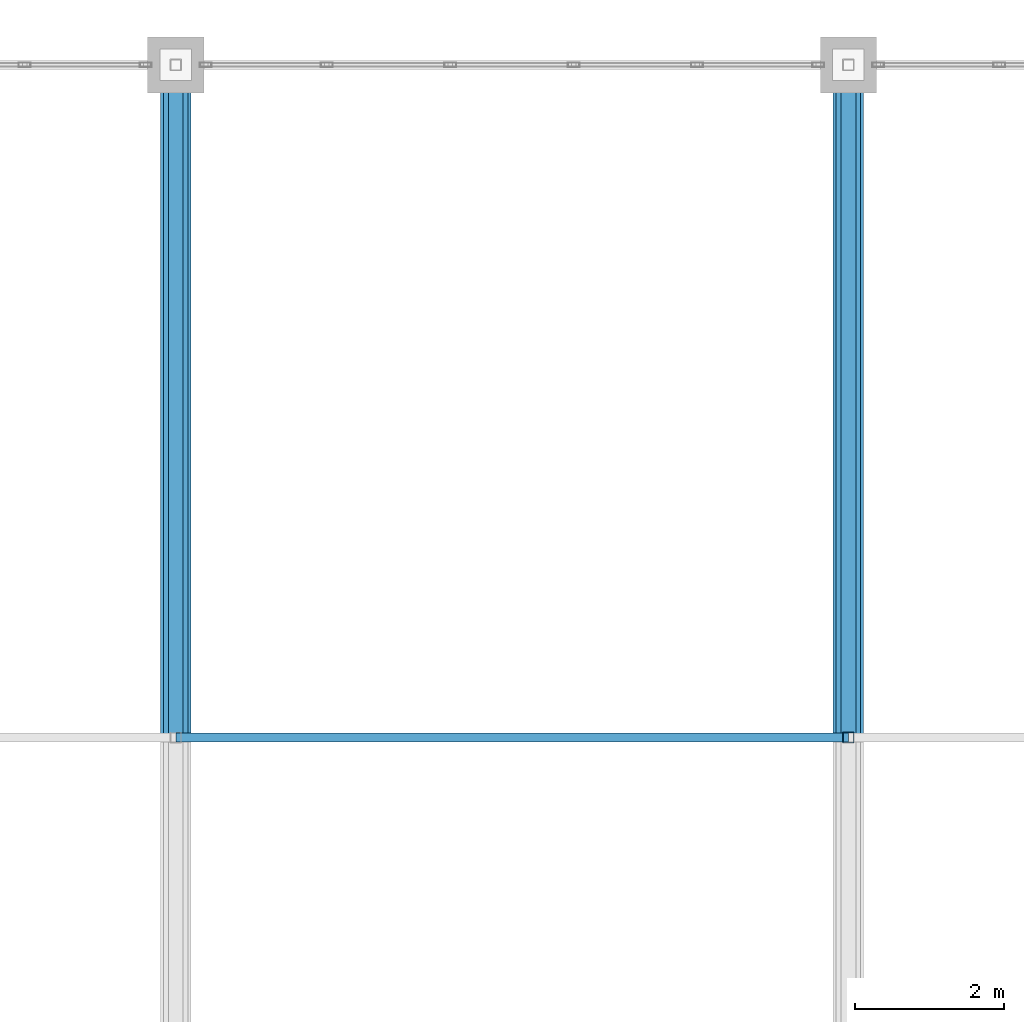
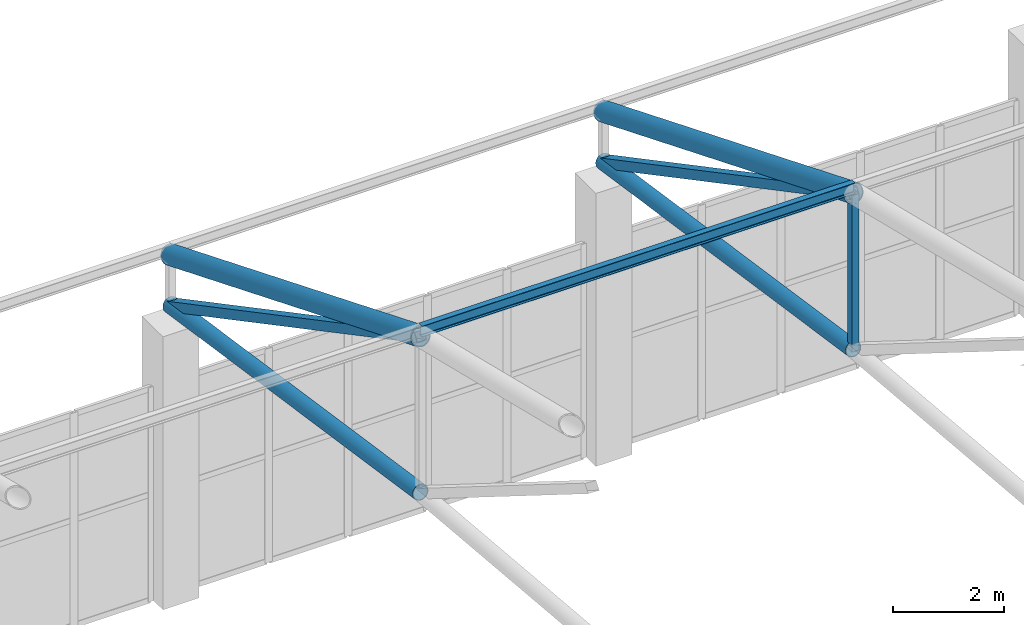
# One storey, part 128 of 223: 8 members.
"""IFC4 building model written with IfcOpenShell, lengths in metres."""

from ifc_helpers import new_model, si_unit, direction, frame, origin, origin_2d, place, context, subcontext, project, spatial, hollow_rectangle, hollow_circle, i_section, extrude, material, material_profile, profile_set, type_object, element, save


model = new_model("IFC4")

# Units and contexts
model_context = context("Model", 3, precision=1e-05, world=origin(), true_north=direction((0.0, 1.0)))
body_context = subcontext(model_context, "Body", "Model", "MODEL_VIEW")
ifc_project = project(units=[si_unit("LENGTHUNIT", "METRE"), si_unit("AREAUNIT", "SQUARE_METRE"), si_unit("VOLUMEUNIT", "CUBIC_METRE"), si_unit("PLANEANGLEUNIT", "RADIAN"), si_unit("MASSUNIT", "GRAM", prefix="KILO")], contexts=[model_context])

# Site, building, storey
site_placement = place(None, origin())
site = spatial("IfcSite", under=ifc_project, at=site_placement, CompositionType="ELEMENT")
building_placement = place(site_placement, origin())
building = spatial("IfcBuilding", under=site, at=building_placement, Name="Dornveld Trade and Exhibition Forum", CompositionType="ELEMENT")
storey_placement = place(building_placement, frame((0.0, 0.0, 6.0)))
storey = spatial("IfcBuildingStorey", under=building, at=storey_placement, Name="L01", CompositionType="ELEMENT", Elevation=6.0)

# Members
ifc_material_1 = material(Name="Steel S355J2", Category="steel")
ifc_material_profile_1 = material_profile(ifc_material_1, hollow_circle(Radius=0.161865234375, WallThickness=0.01611328125, at=origin_2d()), Name="CHS 323.9x16")
ifc_profile_set_1 = profile_set([ifc_material_profile_1], Name="Steel S355J2")
member_type_1 = type_object("IfcMemberType", Name="MEM-ARCH-BC", PredefinedType="CHORD", material=ifc_profile_set_1)
for number, where, z_axis, x_axis, name in (
    (1, (117.0, 153.0, 7.683349609375), (0.0, 0.989204758987, -0.146539908551), (-1.0, 0.0, 0.0), "H1 truss 3 tie chord 6"),
    (2, (126.0, 153.0, 7.683349609375), (0.0, 0.989204758987, -0.146539908551), (-1.0, 0.0, 0.0), "H1 truss 4 tie chord 6"),
):
    element("IfcMember", number, at=place(storey_placement, frame(where, z_axis=z_axis, x_axis=x_axis)), inside=storey, type_object=member_type_1, Name=name, PredefinedType="CHORD", context=body_context, shape_type="SweptSolid", body=[
        extrude(hollow_circle(Radius=0.161865234375, WallThickness=0.01611328125, at=origin_2d()), origin(), (0.0, 0.0, 1.0), 9.09814453125),
    ])
ifc_material_2 = material(Name="Steel S355J2", Category="steel")
ifc_material_profile_2 = material_profile(ifc_material_2, hollow_rectangle(XDim=0.14990234375, YDim=0.14990234375, WallThickness=0.008056640625, at=origin_2d()), Name="SHS 150x150x8")
ifc_profile_set_2 = profile_set([ifc_material_profile_2], Name="Steel S355J2")
member_type_2 = type_object("IfcMemberType", Name="MEM-ARCH-STR", PredefinedType="STRUT", material=ifc_profile_set_2)
member_1_placement = place(storey_placement, frame((126.0, 153.0, 7.683349609375), z_axis=(0.0, 0.0, 1.0), x_axis=(1.0, 0.0, 0.0)))
element("IfcMember", 3, at=member_1_placement, inside=storey, type_object=member_type_2, Name="H1 truss 4 strut 6", PredefinedType="STRUT", context=body_context, shape_type="SweptSolid", body=[
    extrude(hollow_rectangle(XDim=0.14990234375, YDim=0.14990234375, WallThickness=0.008056640625, at=origin_2d()), origin(), (0.0, 0.0, 1.0), 3.433349609375),
])
ifc_material_3 = material(Name="Steel S355J2", Category="steel")
ifc_material_profile_3 = material_profile(ifc_material_3, hollow_circle(Radius=0.203125, WallThickness=0.02001953125, at=origin_2d()), Name="CHS 406.4x20")
ifc_profile_set_3 = profile_set([ifc_material_profile_3], Name="Steel S355J2")
member_type_3 = type_object("IfcMemberType", Name="MEM-ARCH-TC", PredefinedType="CHORD", material=ifc_profile_set_3)
for number, where, z_axis, x_axis, name in (
    (4, (117.0, 153.0, 11.11669921875), (0.0, 0.926089433793, -0.377304069177), (-1.0, 0.0, 0.0), "H1 truss 3 top chord 6"),
    (5, (126.0, 153.0, 11.11669921875), (0.0, 0.926089433793, -0.377304069177), (-1.0, 0.0, 0.0), "H1 truss 4 top chord 6"),
):
    element("IfcMember", number, at=place(storey_placement, frame(where, z_axis=z_axis, x_axis=x_axis)), inside=storey, type_object=member_type_3, Name=name, PredefinedType="CHORD", context=body_context, shape_type="SweptSolid", body=[
        extrude(hollow_circle(Radius=0.203125, WallThickness=0.02001953125, at=origin_2d()), origin(), (0.0, 0.0, 1.0), 9.71826171875),
    ])
ifc_material_4 = material(Name="Steel S355J2", Category="steel")
ifc_material_profile_4 = material_profile(ifc_material_4, hollow_rectangle(XDim=0.199951171875, YDim=0.199951171875, WallThickness=0.010009765625, at=origin_2d()), Name="SHS 200x200x10")
ifc_profile_set_4 = profile_set([ifc_material_profile_4], Name="Steel S355J2")
member_type_4 = type_object("IfcMemberType", Name="MEM-ARCH-WEB", PredefinedType="BRACE", material=ifc_profile_set_4)
for number, where, z_axis, x_axis, name in (
    (6, (117.0, 162.0, 6.35009765625), (0.0, -0.883710934211, 0.468033102201), (1.0, 0.0, 0.0), "H1 truss 3 web 6"),
    (7, (126.0, 162.0, 6.35009765625), (0.0, -0.883710934211, 0.468033102201), (1.0, 0.0, 0.0), "H1 truss 4 web 6"),
):
    element("IfcMember", number, at=place(storey_placement, frame(where, z_axis=z_axis, x_axis=x_axis)), inside=storey, type_object=member_type_4, Name=name, PredefinedType="BRACE", context=body_context, shape_type="SweptSolid", body=[
        extrude(hollow_rectangle(XDim=0.199951171875, YDim=0.199951171875, WallThickness=0.010009765625, at=origin_2d()), origin(), (0.0, 0.0, 1.0), 10.184326171875),
    ])
ifc_material_5 = material(Name="Steel S355J2", Category="steel")
ifc_material_profile_5 = material_profile(ifc_material_5, i_section(OverallWidth=0.1201171875, OverallDepth=0.239990234375, WebThickness=0.006103515625, FlangeThickness=0.009765625, FilletRadius=0.014892578125, at=origin_2d()), Name="IPE 240")
ifc_profile_set_5 = profile_set([ifc_material_profile_5], Name="Steel S355J2")
member_type_5 = type_object("IfcMemberType", Name="MEM-PURLIN-240", PredefinedType="PURLIN", material=ifc_profile_set_5)
member_2_placement = place(storey_placement, frame((117.0, 153.0, 11.248779296875), z_axis=(1.0, 0.0, 0.0), x_axis=(0.0, 1.0, 0.0)))
element("IfcMember", 8, at=member_2_placement, inside=storey, type_object=member_type_5, Name="H1 bay 3 roof purlin 6", PredefinedType="PURLIN", context=body_context, shape_type="SweptSolid", body=[
    extrude(i_section(OverallWidth=0.1201171875, OverallDepth=0.239990234375, WebThickness=0.006103515625, FlangeThickness=0.009765625, FilletRadius=0.014892578125, at=origin_2d()), origin(), (0.0, 0.0, 1.0), 9.0),
])

save(model, "model.ifc")
